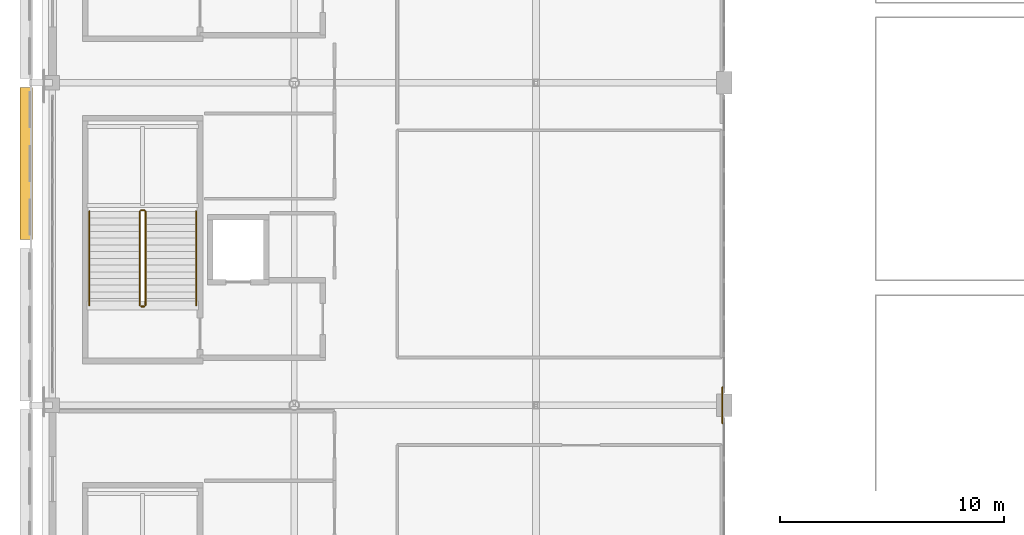
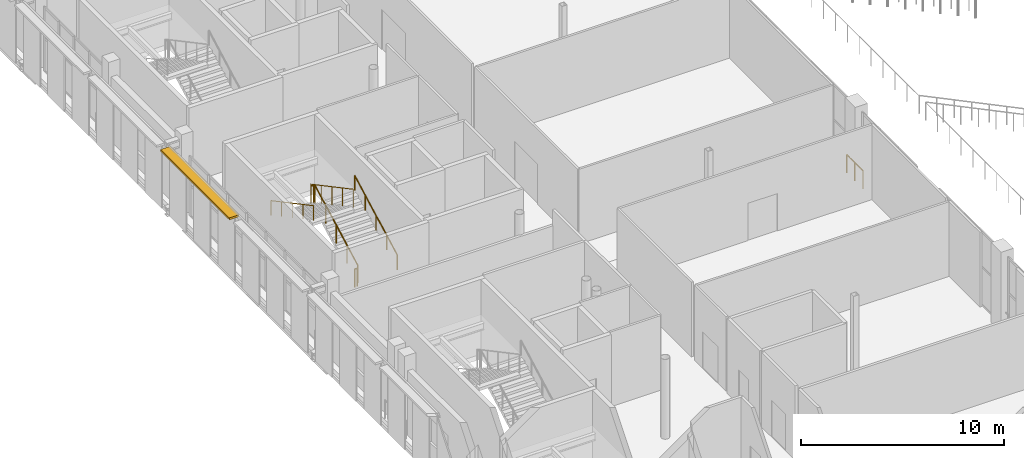
# One storey, part 88 of 104: 8 railings, 1 shading device.
"""IFC4 building model written with IfcOpenShell, lengths in metres."""

from ifc_helpers import new_model, si_unit, direction, frame, origin, origin_2d, place, context, subcontext, project, spatial, rectangle, circle, extrude, material, type_object, element, save


model = new_model("IFC4")

# Units and contexts
model_context = context("Model", 3, precision=1e-05, world=origin(), true_north=direction((0.0, 1.0)))
body_context = subcontext(model_context, "Body", "Model", "MODEL_VIEW")
ifc_project = project(units=[si_unit("LENGTHUNIT", "METRE"), si_unit("AREAUNIT", "SQUARE_METRE"), si_unit("VOLUMEUNIT", "CUBIC_METRE"), si_unit("PLANEANGLEUNIT", "RADIAN"), si_unit("MASSUNIT", "GRAM", prefix="KILO")], contexts=[model_context])

# Site, building, storey
site_placement = place(None, origin())
site = spatial("IfcSite", under=ifc_project, at=site_placement, CompositionType="ELEMENT")
building_placement = place(site_placement, origin())
building = spatial("IfcBuilding", under=site, at=building_placement, Name="Koshinbarg Plaza Stadium", CompositionType="ELEMENT")
storey_placement = place(building_placement, frame((0.0, 0.0, 19.800048828125)))
storey = spatial("IfcBuildingStorey", under=building, at=storey_placement, Name="L04", CompositionType="ELEMENT", Elevation=19.800048828125)

# Railings
ifc_material_1 = material(Name="Toughened laminated glass and stainless steel sightline balustrade", Category="steel")
railing_type_1 = type_object("IfcRailingType", Name="RL-BOWL-1100", PredefinedType="BALUSTRADE", material=ifc_material_1)
railing_1_placement = place(storey_placement, frame((54.52001953125, 83.10009765625, 0.0)))
element("IfcRailing", 1, at=railing_1_placement, inside=storey, type_object=railing_type_1, Name="L04 deck edge safety balustrade 0291", PredefinedType="BALUSTRADE", context=body_context, shape_type="SweptSolid", body=[
    extrude(circle(Radius=0.02392578125, at=origin_2d()), frame((0.0, 0.0, 1.076171875), z_axis=(0.0, -1.0, 0.0), x_axis=(1.0, 0.0, 0.0)), (0.0, 0.0, 1.0), 0.800048828125),
    extrude(circle(Radius=0.02099609375, at=origin_2d()), origin(), (0.0, 0.0, 1.0), 1.052001953125),
    extrude(circle(Radius=0.02099609375, at=origin_2d()), frame((0.0, -0.800048828125, 0.0)), (0.0, 0.0, 1.0), 1.052001953125),
])
railing_2_placement = place(storey_placement, frame((54.52001953125, 83.89697265625, 0.0)))
element("IfcRailing", 2, at=railing_2_placement, inside=storey, type_object=railing_type_1, Name="L04 deck edge safety balustrade 0299", PredefinedType="BALUSTRADE", context=body_context, shape_type="SweptSolid", body=[
    extrude(circle(Radius=0.02392578125, at=origin_2d()), frame((0.0, 0.0, 1.076171875), z_axis=(0.0, -1.0, 0.0), x_axis=(1.0, 0.0, 0.0)), (0.0, 0.0, 1.0), 0.796875),
    extrude(circle(Radius=0.02099609375, at=origin_2d()), origin(), (0.0, 0.0, 1.0), 1.052001953125),
    extrude(circle(Radius=0.02099609375, at=origin_2d()), frame((0.0, -0.796875, 0.0)), (0.0, 0.0, 1.0), 1.052001953125),
])
ifc_material_2 = material(Name="Galvanized painted steel guardrail", Category="steel")
railing_type_2 = type_object("IfcRailingType", Name="RL-GUARD-1100", PredefinedType="GUARDRAIL", material=ifc_material_2)
railing_3_placement = place(storey_placement, frame((28.760009765625, 87.56005859375, 0.159912109375)))
element("IfcRailing", 3, at=railing_3_placement, inside=storey, type_object=railing_type_2, Name="L04 C05 stair guard 1", PredefinedType="GUARDRAIL", context=body_context, shape_type="SweptSolid", body=[
    extrude(circle(Radius=0.02392578125, at=origin_2d()), frame((0.0, 0.0, 1.076171875), z_axis=(0.0, 0.882351521365, 0.470590897432), x_axis=(-1.0, 0.0, 0.0)), (0.0, 0.0, 1.0), 4.760009765625),
    extrude(circle(Radius=0.02099609375, at=origin_2d()), origin(), (0.0, 0.0, 1.0), 1.052001953125),
    extrude(circle(Radius=0.02099609375, at=origin_2d()), frame((0.0, 1.050048828125, 0.56005859375)), (0.0, 0.0, 1.0), 1.052001953125),
    extrude(circle(Radius=0.02099609375, at=origin_2d()), frame((0.0, 2.10009765625, 1.1201171875)), (0.0, 0.0, 1.0), 1.052001953125),
    extrude(circle(Radius=0.02099609375, at=origin_2d()), frame((0.0, 3.14990234375, 1.679931640625)), (0.0, 0.0, 1.0), 1.052001953125),
    extrude(circle(Radius=0.02099609375, at=origin_2d()), frame((0.0, 4.199951171875, 2.239990234375)), (0.0, 0.0, 1.0), 1.052001953125),
])
railing_4_placement = place(storey_placement, frame((28.7099609375, 91.81005859375, 2.39990234375)))
element("IfcRailing", 4, at=railing_4_placement, inside=storey, type_object=railing_type_2, Name="L04 C05 stair guard 2", PredefinedType="GUARDRAIL", context=body_context, shape_type="SweptSolid", body=[
    extrude(circle(Radius=0.02392578125, at=origin_2d()), frame((0.0, 0.0, 1.076171875), z_axis=(-1.0, 0.0, 0.0), x_axis=(0.0, -1.0, 0.0)), (0.0, 0.0, 1.0), 0.14990234375),
    extrude(circle(Radius=0.02099609375, at=origin_2d()), origin(), (0.0, 0.0, 1.0), 1.052001953125),
    extrude(circle(Radius=0.02099609375, at=origin_2d()), frame((-0.14990234375, 0.0, 0.0)), (0.0, 0.0, 1.0), 1.052001953125),
])
railing_5_placement = place(storey_placement, frame((28.510009765625, 91.760009765625, 2.56005859375)))
element("IfcRailing", 5, at=railing_5_placement, inside=storey, type_object=railing_type_2, Name="L04 C05 stair guard 3", PredefinedType="GUARDRAIL", context=body_context, shape_type="SweptSolid", body=[
    extrude(circle(Radius=0.02392578125, at=origin_2d()), frame((0.0, 0.0, 1.076171875), z_axis=(0.0, -0.882351521365, 0.470590897432), x_axis=(1.0, 0.0, 0.0)), (0.0, 0.0, 1.0), 4.760009765625),
    extrude(circle(Radius=0.02099609375, at=origin_2d()), origin(), (0.0, 0.0, 1.0), 1.052001953125),
    extrude(circle(Radius=0.02099609375, at=origin_2d()), frame((0.0, -1.050048828125, 0.56005859375)), (0.0, 0.0, 1.0), 1.052001953125),
    extrude(circle(Radius=0.02099609375, at=origin_2d()), frame((0.0, -2.10009765625, 1.1201171875)), (0.0, 0.0, 1.0), 1.052001953125),
    extrude(circle(Radius=0.02099609375, at=origin_2d()), frame((0.0, -3.14990234375, 1.679931640625)), (0.0, 0.0, 1.0), 1.052001953125),
    extrude(circle(Radius=0.02099609375, at=origin_2d()), frame((0.0, -4.199951171875, 2.239990234375)), (0.0, 0.0, 1.0), 1.052001953125),
])
railing_6_placement = place(storey_placement, frame((28.7099609375, 87.510009765625, 0.0)))
element("IfcRailing", 6, at=railing_6_placement, inside=storey, type_object=railing_type_2, Name="L04 C05 stair guard 4", PredefinedType="GUARDRAIL", context=body_context, shape_type="SweptSolid", body=[
    extrude(circle(Radius=0.02392578125, at=origin_2d()), frame((0.0, 0.0, 1.076171875), z_axis=(-1.0, 0.0, 0.0), x_axis=(0.0, -1.0, 0.0)), (0.0, 0.0, 1.0), 0.14990234375),
    extrude(circle(Radius=0.02099609375, at=origin_2d()), origin(), (0.0, 0.0, 1.0), 1.052001953125),
    extrude(circle(Radius=0.02099609375, at=origin_2d()), frame((-0.14990234375, 0.0, 0.0)), (0.0, 0.0, 1.0), 1.052001953125),
])
ifc_material_3 = material(Name="Brushed stainless steel handrail", Category="steel")
railing_type_3 = type_object("IfcRailingType", Name="RL-HAND-900", PredefinedType="HANDRAIL", material=ifc_material_3)
railing_7_placement = place(storey_placement, frame((31.02001953125, 87.56005859375, 0.159912109375)))
element("IfcRailing", 7, at=railing_7_placement, inside=storey, type_object=railing_type_3, Name="L04 C05 stair handrail 1", PredefinedType="HANDRAIL", context=body_context, shape_type="SweptSolid", body=[
    extrude(circle(Radius=0.02392578125, at=origin_2d()), frame((0.0, 0.0, 0.8759765625), z_axis=(0.0, 0.882351521365, 0.470590897432), x_axis=(-1.0, 0.0, 0.0)), (0.0, 0.0, 1.0), 4.760009765625),
    extrude(circle(Radius=0.02099609375, at=origin_2d()), origin(), (0.0, 0.0, 1.0), 0.851806640625),
    extrude(circle(Radius=0.02099609375, at=origin_2d()), frame((0.0, 1.050048828125, 0.56005859375)), (0.0, 0.0, 1.0), 0.851806640625),
    extrude(circle(Radius=0.02099609375, at=origin_2d()), frame((0.0, 2.10009765625, 1.1201171875)), (0.0, 0.0, 1.0), 0.851806640625),
    extrude(circle(Radius=0.02099609375, at=origin_2d()), frame((0.0, 3.14990234375, 1.679931640625)), (0.0, 0.0, 1.0), 0.851806640625),
    extrude(circle(Radius=0.02099609375, at=origin_2d()), frame((0.0, 4.199951171875, 2.239990234375)), (0.0, 0.0, 1.0), 0.851806640625),
])
railing_8_placement = place(storey_placement, frame((26.25, 91.760009765625, 2.56005859375)))
element("IfcRailing", 8, at=railing_8_placement, inside=storey, type_object=railing_type_3, Name="L04 C05 stair handrail 2", PredefinedType="HANDRAIL", context=body_context, shape_type="SweptSolid", body=[
    extrude(circle(Radius=0.02392578125, at=origin_2d()), frame((0.0, 0.0, 0.8759765625), z_axis=(0.0, -0.882351521365, 0.470590897432), x_axis=(1.0, 0.0, 0.0)), (0.0, 0.0, 1.0), 4.760009765625),
    extrude(circle(Radius=0.02099609375, at=origin_2d()), origin(), (0.0, 0.0, 1.0), 0.851806640625),
    extrude(circle(Radius=0.02099609375, at=origin_2d()), frame((0.0, -1.050048828125, 0.56005859375)), (0.0, 0.0, 1.0), 0.851806640625),
    extrude(circle(Radius=0.02099609375, at=origin_2d()), frame((0.0, -2.10009765625, 1.1201171875)), (0.0, 0.0, 1.0), 0.851806640625),
    extrude(circle(Radius=0.02099609375, at=origin_2d()), frame((0.0, -3.14990234375, 1.679931640625)), (0.0, 0.0, 1.0), 0.851806640625),
    extrude(circle(Radius=0.02099609375, at=origin_2d()), frame((0.0, -4.199951171875, 2.239990234375)), (0.0, 0.0, 1.0), 0.851806640625),
])

# Shading device
ifc_material_4 = material(Name="Off-white powder-coated aluminium sun-baffle louvre", Category="aluminium")
shading_device_type = type_object("IfcShadingDeviceType", Name="SHD-LOUVRE-01", PredefinedType="USERDEFINED", material=ifc_material_4)
shading_device_placement = place(storey_placement, frame((23.429931640625, 93.89990234375, 4.119873046875), z_axis=(0.0, 0.0, 1.0), x_axis=(1.0, 0.0, 0.0)))
element("IfcShadingDevice", 9, at=shading_device_placement, inside=storey, type_object=shading_device_type, Name="L04 solar brise-soleil louvre 24", ObjectType="LOUVRE", PredefinedType="USERDEFINED", context=body_context, shape_type="SweptSolid", body=[
    extrude(rectangle(XDim=0.550048828125, YDim=6.800048828125, at=origin_2d()), origin(), (0.0, 0.0, 1.0), 0.1201171875),
])

save(model, "model.ifc")
